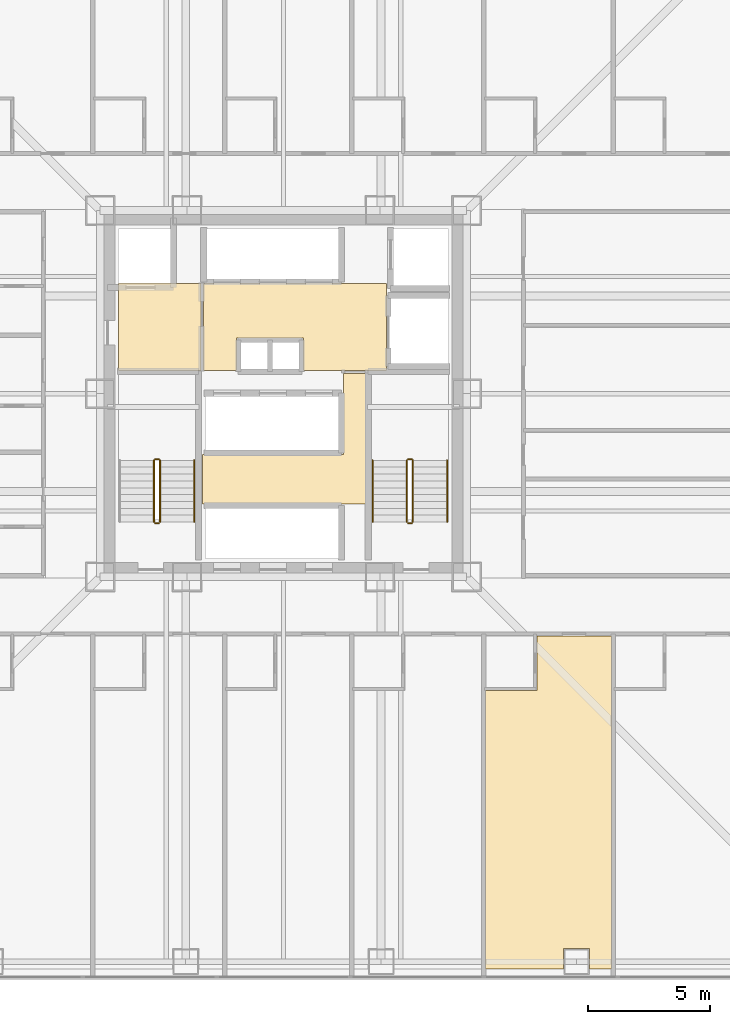
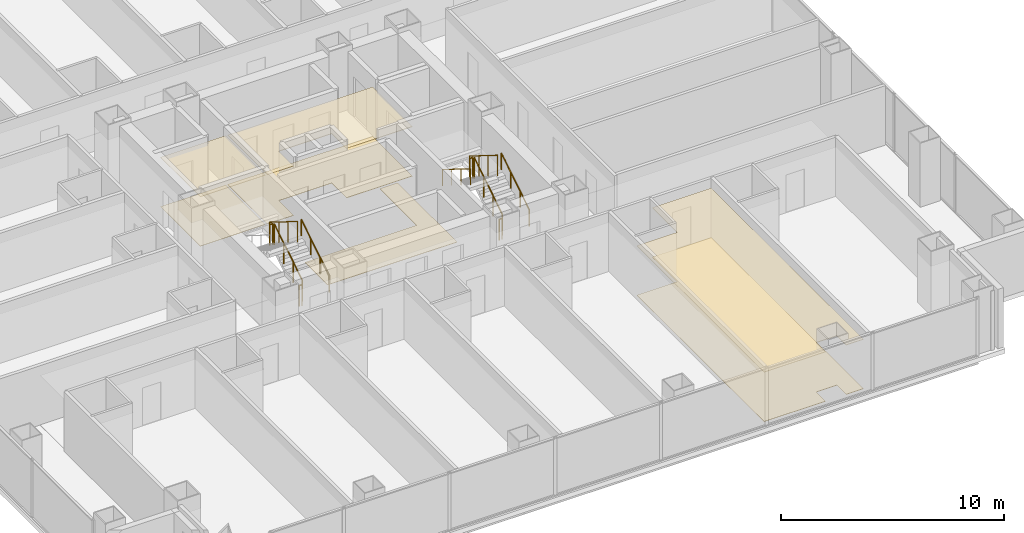
# One storey, part 16 of 17: 11 railings, 7 coverings.
"""IFC4 building model written with IfcOpenShell, lengths in metres."""

from ifc_helpers import new_model, si_unit, direction, frame, origin, origin_2d, place, context, subcontext, project, spatial, polyline, circle, outline, extrude, material, layer, layer_set, type_object, element, save


model = new_model("IFC4")

# Units and contexts
model_context = context("Model", 3, precision=1e-05, world=origin(), true_north=direction((0.0, 1.0)))
body_context = subcontext(model_context, "Body", "Model", "MODEL_VIEW")
ifc_project = project(units=[si_unit("LENGTHUNIT", "METRE"), si_unit("AREAUNIT", "SQUARE_METRE"), si_unit("VOLUMEUNIT", "CUBIC_METRE"), si_unit("PLANEANGLEUNIT", "RADIAN"), si_unit("MASSUNIT", "GRAM", prefix="KILO")], contexts=[model_context])

# Site, building, storey
site_placement = place(None, origin())
site = spatial("IfcSite", under=ifc_project, at=site_placement, CompositionType="ELEMENT")
building_placement = place(site_placement, origin())
building = spatial("IfcBuilding", under=site, at=building_placement, Name="Trevonay Congress Spire", CompositionType="ELEMENT")
storey_placement = place(building_placement, frame((0.0, 0.0, 30.5)))
storey = spatial("IfcBuildingStorey", under=building, at=storey_placement, Name="L06", CompositionType="ELEMENT", Elevation=30.5)

# Coverings
ifc_material_1 = material(Name="Acoustic Mineral Fibre Board", Category="gypsum")
ifc_layer_1 = layer(ifc_material_1, 0.02490234375, Name="Acoustic Mineral Fibre Board")
ifc_layer_set_1 = layer_set([ifc_layer_1], Name="Acoustic Mineral Fibre Board")
covering_type_1 = type_object("IfcCoveringType", Name="COV-CEIL-ACOUSTIC", PredefinedType="CEILING", material=ifc_layer_set_1)
covering_1_placement = place(storey_placement, frame((0.0, 0.0, 2.699951171875)))
element("IfcCovering", 1, at=covering_1_placement, inside=storey, type_object=covering_type_1, Name="L06 Firefighting Lift Lobby West acoustic suspended ceiling", PredefinedType="CEILING", context=body_context, shape_type="SweptSolid", body=[
    extrude(outline(polyline([(-6.75, 0.9599609375), (-3.3798828125, 0.9599609375), (-3.3798828125, 4.52001953125), (-6.75, 4.52001953125), (-6.75, 0.9599609375)])), origin(), (0.0, 0.0, 1.0), 0.025146484375),
])
covering_2_placement = place(storey_placement, frame((0.0, 0.0, 2.699951171875)))
element("IfcCovering", 2, at=covering_2_placement, inside=storey, type_object=covering_type_1, Name="L06 Central and High-Rise Passenger Lift Lobby acoustic suspended ceiling", PredefinedType="CEILING", context=body_context, shape_type="SweptSolid", body=[
    extrude(outline(polyline([(-3.280029296875, 0.949951171875), (-1.919921875, 0.949951171875), (-1.919921875, 2.280029296875), (0.820068359375, 2.280029296875), (0.820068359375, 0.949951171875), (4.219970703125, 0.949951171875), (4.219970703125, 4.52001953125), (-3.280029296875, 4.52001953125), (-3.280029296875, 0.949951171875)])), origin(), (0.0, 0.0, 1.0), 0.025146484375),
])
covering_3_placement = place(storey_placement, frame((0.0, 0.0, 2.699951171875)))
element("IfcCovering", 3, at=covering_3_placement, inside=storey, type_object=covering_type_1, Name="L06 Hotel Guest Room acoustic suspended ceiling", PredefinedType="CEILING", context=body_context, shape_type="SweptSolid", body=[
    extrude(outline(polyline([(8.280029296875, -23.550048828125), (8.280029296875, -12.139892578125), (10.3701171875, -12.139892578125), (10.3701171875, -9.909912109375), (13.419921875, -9.909912109375), (13.419921875, -23.550048828125), (12.534912109375, -23.550048828125), (12.534912109375, -22.715087890625), (11.465087890625, -22.715087890625), (11.465087890625, -23.550048828125), (8.280029296875, -23.550048828125)])), origin(), (0.0, 0.0, 1.0), 0.025146484375),
])
ifc_material_2 = material(Name="Polished Granite Floor Tile", Category="masonry")
ifc_layer_2 = layer(ifc_material_2, 0.02001953125, Name="Polished Granite Floor Tile")
ifc_layer_set_2 = layer_set([ifc_layer_2], Name="Polished Granite Floor Tile")
covering_type_2 = type_object("IfcCoveringType", Name="COV-FLOOR-STONE", PredefinedType="FLOORING", material=ifc_layer_set_2)
covering_4_placement = place(storey_placement, origin())
element("IfcCovering", 4, at=covering_4_placement, inside=storey, type_object=covering_type_2, Name="L06 Firefighting Lift Lobby West floor finish", PredefinedType="FLOORING", context=body_context, shape_type="SweptSolid", body=[
    extrude(outline(polyline([(-6.75, 0.9599609375), (-3.3798828125, 0.9599609375), (-3.3798828125, 4.52001953125), (-6.75, 4.52001953125), (-6.75, 0.9599609375)])), origin(), (0.0, 0.0, 1.0), 0.02001953125),
])
covering_5_placement = place(storey_placement, origin())
element("IfcCovering", 5, at=covering_5_placement, inside=storey, type_object=covering_type_2, Name="L06 Central and High-Rise Passenger Lift Lobby floor finish", PredefinedType="FLOORING", context=body_context, shape_type="SweptSolid", body=[
    extrude(outline(polyline([(-3.280029296875, 0.949951171875), (-1.919921875, 0.949951171875), (-1.919921875, 2.280029296875), (0.820068359375, 2.280029296875), (0.820068359375, 0.949951171875), (4.219970703125, 0.949951171875), (4.219970703125, 4.52001953125), (-3.280029296875, 4.52001953125), (-3.280029296875, 0.949951171875)])), origin(), (0.0, 0.0, 1.0), 0.02001953125),
])
covering_6_placement = place(storey_placement, origin())
element("IfcCovering", 6, at=covering_6_placement, inside=storey, type_object=covering_type_2, Name="L06 Core MEP Metering Room floor finish", PredefinedType="FLOORING", context=body_context, shape_type="SweptSolid", body=[
    extrude(outline(polyline([(-3.320068359375, -4.52001953125), (3.3798828125, -4.52001953125), (3.3798828125, 0.820068359375), (2.4599609375, 0.820068359375), (2.4599609375, -2.47998046875), (-3.320068359375, -2.47998046875), (-3.320068359375, -4.52001953125)])), origin(), (0.0, 0.0, 1.0), 0.02001953125),
])
ifc_material_3 = material(Name="Engineered Oak Flooring", Category="wood")
ifc_layer_3 = layer(ifc_material_3, 0.01806640625, Name="Engineered Oak Flooring")
ifc_layer_set_3 = layer_set([ifc_layer_3], Name="Engineered Oak Flooring")
covering_type_3 = type_object("IfcCoveringType", Name="COV-FLOOR-TIMBER", PredefinedType="FLOORING", material=ifc_layer_set_3)
covering_7_placement = place(storey_placement, origin())
element("IfcCovering", 7, at=covering_7_placement, inside=storey, type_object=covering_type_3, Name="L06 Hotel Guest Room floor finish", PredefinedType="FLOORING", context=body_context, shape_type="SweptSolid", body=[
    extrude(outline(polyline([(8.280029296875, -23.550048828125), (8.280029296875, -12.139892578125), (10.3701171875, -12.139892578125), (10.3701171875, -9.909912109375), (13.419921875, -9.909912109375), (13.419921875, -23.550048828125), (12.534912109375, -23.550048828125), (12.534912109375, -22.715087890625), (11.465087890625, -22.715087890625), (11.465087890625, -23.550048828125), (8.280029296875, -23.550048828125)])), origin(), (0.0, 0.0, 1.0), 0.01806640625),
])

# Railings
ifc_material_4 = material(Name="Pale Anodised Aluminium EN AW-6063-T6", Category="aluminium")
railing_type_1 = type_object("IfcRailingType", Name="RAL-STAIR-GUARD-110", PredefinedType="GUARDRAIL", material=ifc_material_4)
railing_1_placement = place(storey_placement, frame((-5.050048828125, -5.25, 0.175048828125)))
element("IfcRailing", 8, at=railing_1_placement, inside=storey, type_object=railing_type_1, Name="L06 ST-1 stair guard 1", PredefinedType="GUARDRAIL", context=body_context, shape_type="SweptSolid", body=[
    extrude(circle(Radius=0.02392578125, at=origin_2d()), frame((0.0, 0.0, 1.1259765625), z_axis=(0.0, 0.848007534815, 0.529984170421), x_axis=(-1.0, 0.0, 0.0)), (0.0, 0.0, 1.0), 2.9716796875),
    extrude(circle(Radius=0.02099609375, at=origin_2d()), origin(), (0.0, 0.0, 1.0), 1.101806640625),
    extrude(circle(Radius=0.02099609375, at=origin_2d()), frame((0.0, 0.840087890625, 0.52490234375)), (0.0, 0.0, 1.0), 1.101806640625),
    extrude(circle(Radius=0.02099609375, at=origin_2d()), frame((0.0, 1.679931640625, 1.050048828125)), (0.0, 0.0, 1.0), 1.101806640625),
    extrude(circle(Radius=0.02099609375, at=origin_2d()), frame((0.0, 2.52001953125, 1.574951171875)), (0.0, 0.0, 1.0), 1.101806640625),
])
railing_2_placement = place(storey_placement, frame((-5.10009765625, -2.679931640625, 1.75)))
element("IfcRailing", 9, at=railing_2_placement, inside=storey, type_object=railing_type_1, Name="L06 ST-1 stair guard 2", PredefinedType="GUARDRAIL", context=body_context, shape_type="SweptSolid", body=[
    extrude(circle(Radius=0.02392578125, at=origin_2d()), frame((0.0, 0.0, 1.1259765625), z_axis=(-1.0, 0.0, 0.0), x_axis=(0.0, -1.0, 0.0)), (0.0, 0.0, 1.0), 0.14990234375),
    extrude(circle(Radius=0.02099609375, at=origin_2d()), origin(), (0.0, 0.0, 1.0), 1.101806640625),
    extrude(circle(Radius=0.02099609375, at=origin_2d()), frame((-0.14990234375, 0.0, 0.0)), (0.0, 0.0, 1.0), 1.101806640625),
])
railing_3_placement = place(storey_placement, frame((-5.300048828125, -2.72998046875, 1.925048828125)))
element("IfcRailing", 10, at=railing_3_placement, inside=storey, type_object=railing_type_1, Name="L06 ST-1 stair guard 3", PredefinedType="GUARDRAIL", context=body_context, shape_type="SweptSolid", body=[
    extrude(circle(Radius=0.02392578125, at=origin_2d()), frame((0.0, 0.0, 1.1259765625), z_axis=(0.0, -0.848007534815, 0.529984170421), x_axis=(1.0, 0.0, 0.0)), (0.0, 0.0, 1.0), 2.9716796875),
    extrude(circle(Radius=0.02099609375, at=origin_2d()), origin(), (0.0, 0.0, 1.0), 1.101806640625),
    extrude(circle(Radius=0.02099609375, at=origin_2d()), frame((0.0, -0.840087890625, 0.52490234375)), (0.0, 0.0, 1.0), 1.101806640625),
    extrude(circle(Radius=0.02099609375, at=origin_2d()), frame((0.0, -1.679931640625, 1.050048828125)), (0.0, 0.0, 1.0), 1.101806640625),
    extrude(circle(Radius=0.02099609375, at=origin_2d()), frame((0.0, -2.52001953125, 1.574951171875)), (0.0, 0.0, 1.0), 1.101806640625),
])
railing_4_placement = place(storey_placement, frame((-5.10009765625, -5.300048828125, 0.0)))
element("IfcRailing", 11, at=railing_4_placement, inside=storey, type_object=railing_type_1, Name="L06 ST-1 stair guard 4", PredefinedType="GUARDRAIL", context=body_context, shape_type="SweptSolid", body=[
    extrude(circle(Radius=0.02392578125, at=origin_2d()), frame((0.0, 0.0, 1.1259765625), z_axis=(-1.0, 0.0, 0.0), x_axis=(0.0, -1.0, 0.0)), (0.0, 0.0, 1.0), 0.14990234375),
    extrude(circle(Radius=0.02099609375, at=origin_2d()), origin(), (0.0, 0.0, 1.0), 1.101806640625),
    extrude(circle(Radius=0.02099609375, at=origin_2d()), frame((-0.14990234375, 0.0, 0.0)), (0.0, 0.0, 1.0), 1.101806640625),
])
railing_5_placement = place(storey_placement, frame((5.300048828125, -5.25, 0.175048828125)))
element("IfcRailing", 12, at=railing_5_placement, inside=storey, type_object=railing_type_1, Name="L06 ST-2 stair guard 1", PredefinedType="GUARDRAIL", context=body_context, shape_type="SweptSolid", body=[
    extrude(circle(Radius=0.02392578125, at=origin_2d()), frame((0.0, 0.0, 1.1259765625), z_axis=(0.0, 0.848007534815, 0.529984170421), x_axis=(-1.0, 0.0, 0.0)), (0.0, 0.0, 1.0), 2.9716796875),
    extrude(circle(Radius=0.02099609375, at=origin_2d()), origin(), (0.0, 0.0, 1.0), 1.101806640625),
    extrude(circle(Radius=0.02099609375, at=origin_2d()), frame((0.0, 0.840087890625, 0.52490234375)), (0.0, 0.0, 1.0), 1.101806640625),
    extrude(circle(Radius=0.02099609375, at=origin_2d()), frame((0.0, 1.679931640625, 1.050048828125)), (0.0, 0.0, 1.0), 1.101806640625),
    extrude(circle(Radius=0.02099609375, at=origin_2d()), frame((0.0, 2.52001953125, 1.574951171875)), (0.0, 0.0, 1.0), 1.101806640625),
])
railing_6_placement = place(storey_placement, frame((5.25, -2.679931640625, 1.75)))
element("IfcRailing", 13, at=railing_6_placement, inside=storey, type_object=railing_type_1, Name="L06 ST-2 stair guard 2", PredefinedType="GUARDRAIL", context=body_context, shape_type="SweptSolid", body=[
    extrude(circle(Radius=0.02392578125, at=origin_2d()), frame((0.0, 0.0, 1.1259765625), z_axis=(-1.0, 0.0, 0.0), x_axis=(0.0, -1.0, 0.0)), (0.0, 0.0, 1.0), 0.14990234375),
    extrude(circle(Radius=0.02099609375, at=origin_2d()), origin(), (0.0, 0.0, 1.0), 1.101806640625),
    extrude(circle(Radius=0.02099609375, at=origin_2d()), frame((-0.14990234375, 0.0, 0.0)), (0.0, 0.0, 1.0), 1.101806640625),
])
railing_7_placement = place(storey_placement, frame((5.050048828125, -2.72998046875, 1.925048828125)))
element("IfcRailing", 14, at=railing_7_placement, inside=storey, type_object=railing_type_1, Name="L06 ST-2 stair guard 3", PredefinedType="GUARDRAIL", context=body_context, shape_type="SweptSolid", body=[
    extrude(circle(Radius=0.02392578125, at=origin_2d()), frame((0.0, 0.0, 1.1259765625), z_axis=(0.0, -0.848007534815, 0.529984170421), x_axis=(1.0, 0.0, 0.0)), (0.0, 0.0, 1.0), 2.9716796875),
    extrude(circle(Radius=0.02099609375, at=origin_2d()), origin(), (0.0, 0.0, 1.0), 1.101806640625),
    extrude(circle(Radius=0.02099609375, at=origin_2d()), frame((0.0, -0.840087890625, 0.52490234375)), (0.0, 0.0, 1.0), 1.101806640625),
    extrude(circle(Radius=0.02099609375, at=origin_2d()), frame((0.0, -1.679931640625, 1.050048828125)), (0.0, 0.0, 1.0), 1.101806640625),
    extrude(circle(Radius=0.02099609375, at=origin_2d()), frame((0.0, -2.52001953125, 1.574951171875)), (0.0, 0.0, 1.0), 1.101806640625),
])
railing_8_placement = place(storey_placement, frame((5.25, -5.300048828125, 0.0)))
element("IfcRailing", 15, at=railing_8_placement, inside=storey, type_object=railing_type_1, Name="L06 ST-2 stair guard 4", PredefinedType="GUARDRAIL", context=body_context, shape_type="SweptSolid", body=[
    extrude(circle(Radius=0.02392578125, at=origin_2d()), frame((0.0, 0.0, 1.1259765625), z_axis=(-1.0, 0.0, 0.0), x_axis=(0.0, -1.0, 0.0)), (0.0, 0.0, 1.0), 0.14990234375),
    extrude(circle(Radius=0.02099609375, at=origin_2d()), origin(), (0.0, 0.0, 1.0), 1.101806640625),
    extrude(circle(Radius=0.02099609375, at=origin_2d()), frame((-0.14990234375, 0.0, 0.0)), (0.0, 0.0, 1.0), 1.101806640625),
])
railing_type_2 = type_object("IfcRailingType", Name="RAL-STAIR-HANDRAIL", PredefinedType="HANDRAIL", material=ifc_material_4)
for number, where, name in (
    (16, (-3.64990234375, -5.25, 0.175048828125), "L06 ST-1 stair handrail 1"),
    (17, (6.699951171875, -5.25, 0.175048828125), "L06 ST-2 stair handrail 1"),
):
    element("IfcRailing", number, at=place(storey_placement, frame(where)), inside=storey, type_object=railing_type_2, Name=name, PredefinedType="HANDRAIL", context=body_context, shape_type="SweptSolid", body=[
        extrude(circle(Radius=0.02392578125, at=origin_2d()), frame((0.0, 0.0, 0.8759765625), z_axis=(0.0, 0.848007534815, 0.529984170421), x_axis=(-1.0, 0.0, 0.0)), (0.0, 0.0, 1.0), 2.9716796875),
        extrude(circle(Radius=0.02099609375, at=origin_2d()), origin(), (0.0, 0.0, 1.0), 0.851806640625),
        extrude(circle(Radius=0.02099609375, at=origin_2d()), frame((0.0, 0.840087890625, 0.52490234375)), (0.0, 0.0, 1.0), 0.851806640625),
        extrude(circle(Radius=0.02099609375, at=origin_2d()), frame((0.0, 1.679931640625, 1.050048828125)), (0.0, 0.0, 1.0), 0.851806640625),
        extrude(circle(Radius=0.02099609375, at=origin_2d()), frame((0.0, 2.52001953125, 1.574951171875)), (0.0, 0.0, 1.0), 0.851806640625),
    ])
railing_9_placement = place(storey_placement, frame((3.64990234375, -2.72998046875, 1.925048828125)))
element("IfcRailing", 18, at=railing_9_placement, inside=storey, type_object=railing_type_2, Name="L06 ST-2 stair handrail 2", PredefinedType="HANDRAIL", context=body_context, shape_type="SweptSolid", body=[
    extrude(circle(Radius=0.02392578125, at=origin_2d()), frame((0.0, 0.0, 0.8759765625), z_axis=(0.0, -0.848007534815, 0.529984170421), x_axis=(1.0, 0.0, 0.0)), (0.0, 0.0, 1.0), 2.9716796875),
    extrude(circle(Radius=0.02099609375, at=origin_2d()), origin(), (0.0, 0.0, 1.0), 0.851806640625),
    extrude(circle(Radius=0.02099609375, at=origin_2d()), frame((0.0, -0.840087890625, 0.52490234375)), (0.0, 0.0, 1.0), 0.851806640625),
    extrude(circle(Radius=0.02099609375, at=origin_2d()), frame((0.0, -1.679931640625, 1.050048828125)), (0.0, 0.0, 1.0), 0.851806640625),
    extrude(circle(Radius=0.02099609375, at=origin_2d()), frame((0.0, -2.52001953125, 1.574951171875)), (0.0, 0.0, 1.0), 0.851806640625),
])

save(model, "model.ifc")
